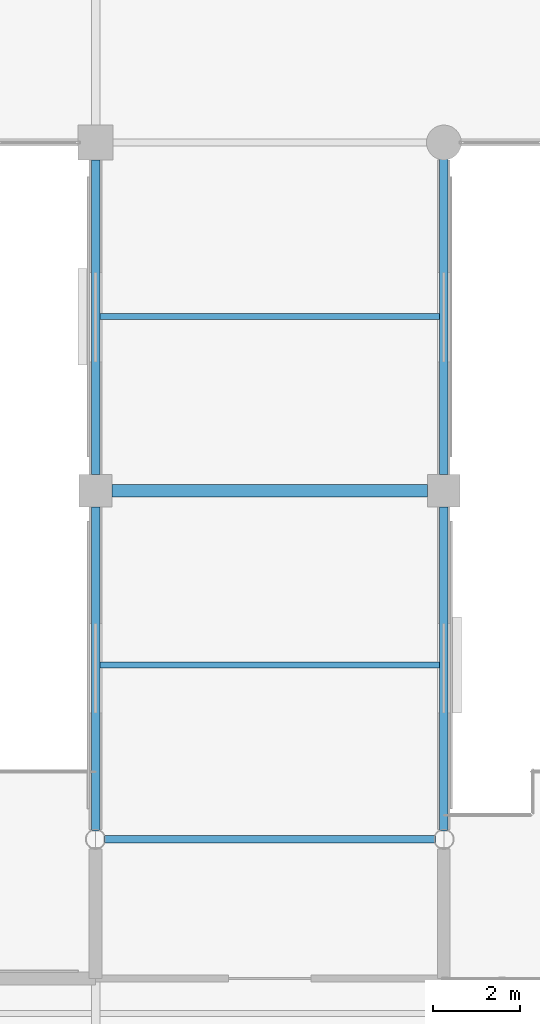
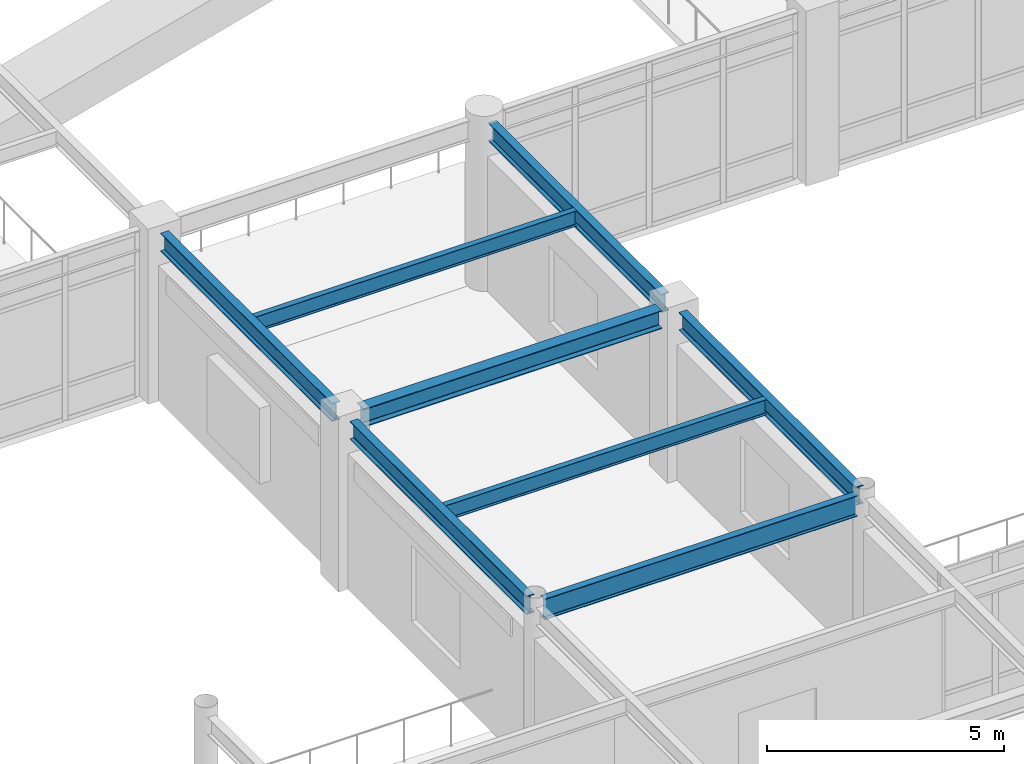
# One storey, part 17 of 75: 8 beams.
"""IFC4 building model written with IfcOpenShell, lengths in metres."""

from ifc_helpers import new_model, si_unit, direction, frame, origin, origin_2d, place, context, subcontext, project, spatial, i_section, extrude, material, material_profile, profile_set, type_object, element, save


model = new_model("IFC4")

# Units and contexts
model_context = context("Model", 3, precision=1e-05, world=origin(), true_north=direction((0.0, 1.0)))
body_context = subcontext(model_context, "Body", "Model", "MODEL_VIEW")
ifc_project = project(units=[si_unit("LENGTHUNIT", "METRE"), si_unit("AREAUNIT", "SQUARE_METRE"), si_unit("VOLUMEUNIT", "CUBIC_METRE"), si_unit("PLANEANGLEUNIT", "RADIAN"), si_unit("MASSUNIT", "GRAM", prefix="KILO")], contexts=[model_context])

# Site, building, storey
site_placement = place(None, origin())
site = spatial("IfcSite", under=ifc_project, at=site_placement, CompositionType="ELEMENT")
building_placement = place(site_placement, origin())
building = spatial("IfcBuilding", under=site, at=building_placement, Name="Solmirada Galleria", CompositionType="ELEMENT")
storey_placement = place(building_placement, frame((0.0, 0.0, 19.39990234375)))
storey = spatial("IfcBuildingStorey", under=building, at=storey_placement, Name="L04", CompositionType="ELEMENT", Elevation=19.39990234375)

# Beams
ifc_material = material(Name="Steel S355 / ASTM A992 Grade 50", Category="steel")
ifc_material_profile_1 = material_profile(ifc_material, i_section(OverallWidth=0.281982421875, OverallDepth=0.467041015625, WebThickness=0.01220703125, FlangeThickness=0.01953125, FilletRadius=0.013916015625, at=origin_2d()), Name="W18X86")
ifc_profile_set_1 = profile_set([ifc_material_profile_1], Name="Steel S355 / ASTM A992 Grade 50")
beam_type_1 = type_object("IfcBeamType", Name="BM-GIRD-W18A", PredefinedType="BEAM", material=ifc_profile_set_1)
beam_1_placement = place(storey_placement, frame((88.375, 40.0, 4.066650390625), z_axis=(1.0, 0.0, 0.0), x_axis=(0.0, 1.0, 0.0)))
element("IfcBeam", 1, at=beam_1_placement, inside=storey, type_object=beam_type_1, Name="Primary beam L05 X(88..96, 40)", PredefinedType="BEAM", context=body_context, shape_type="SweptSolid", body=[
    extrude(i_section(OverallWidth=0.281982421875, OverallDepth=0.467041015625, WebThickness=0.01220703125, FlangeThickness=0.01953125, FilletRadius=0.013916015625, at=origin_2d()), origin(), (0.0, 0.0, 1.0), 7.25),
])
ifc_material_profile_2 = material_profile(ifc_material, i_section(OverallWidth=0.193115234375, OverallDepth=0.466064453125, WebThickness=0.011474609375, FlangeThickness=0.01904296875, FilletRadius=0.013916015625, at=origin_2d()), Name="W18X65")
ifc_profile_set_2 = profile_set([ifc_material_profile_2], Name="Steel S355 / ASTM A992 Grade 50")
beam_type_2 = type_object("IfcBeamType", Name="BM-GIRD-W18C", PredefinedType="BEAM", material=ifc_profile_set_2)
beam_2_placement = place(storey_placement, frame((88.0, 32.19189453125, 4.067138671875), z_axis=(0.0, 1.0, 0.0), x_axis=(-1.0, 0.0, 0.0)))
element("IfcBeam", 2, at=beam_2_placement, inside=storey, type_object=beam_type_2, Name="Primary girder L05 Y(88, 32..40)", PredefinedType="BEAM", context=body_context, shape_type="SweptSolid", body=[
    extrude(i_section(OverallWidth=0.193115234375, OverallDepth=0.466064453125, WebThickness=0.011474609375, FlangeThickness=0.01904296875, FilletRadius=0.013916015625, at=origin_2d()), origin(), (0.0, 0.0, 1.0), 7.43310546875),
])
beam_3_placement = place(storey_placement, frame((88.0, 40.375, 4.067138671875), z_axis=(0.0, 1.0, 0.0), x_axis=(-1.0, 0.0, 0.0)))
element("IfcBeam", 3, at=beam_3_placement, inside=storey, type_object=beam_type_2, Name="Primary girder L05 Y(88, 40..48)", PredefinedType="BEAM", context=body_context, shape_type="SweptSolid", body=[
    extrude(i_section(OverallWidth=0.193115234375, OverallDepth=0.466064453125, WebThickness=0.011474609375, FlangeThickness=0.01904296875, FilletRadius=0.013916015625, at=origin_2d()), origin(), (0.0, 0.0, 1.0), 7.22509765625),
])
beam_4_placement = place(storey_placement, frame((96.0, 32.19189453125, 4.067138671875), z_axis=(0.0, 1.0, 0.0), x_axis=(-1.0, 0.0, 0.0)))
element("IfcBeam", 4, at=beam_4_placement, inside=storey, type_object=beam_type_2, Name="Primary girder L05 Y(96, 32..40)", PredefinedType="BEAM", context=body_context, shape_type="SweptSolid", body=[
    extrude(i_section(OverallWidth=0.193115234375, OverallDepth=0.466064453125, WebThickness=0.011474609375, FlangeThickness=0.01904296875, FilletRadius=0.013916015625, at=origin_2d()), origin(), (0.0, 0.0, 1.0), 7.43310546875),
])
beam_5_placement = place(storey_placement, frame((96.0, 40.375, 4.067138671875), z_axis=(0.0, 1.0, 0.0), x_axis=(-1.0, 0.0, 0.0)))
element("IfcBeam", 5, at=beam_5_placement, inside=storey, type_object=beam_type_2, Name="Primary girder L05 Y(96, 40..48)", PredefinedType="BEAM", context=body_context, shape_type="SweptSolid", body=[
    extrude(i_section(OverallWidth=0.193115234375, OverallDepth=0.466064453125, WebThickness=0.011474609375, FlangeThickness=0.01904296875, FilletRadius=0.013916015625, at=origin_2d()), origin(), (0.0, 0.0, 1.0), 7.2890625),
])
ifc_material_profile_3 = material_profile(ifc_material, i_section(OverallWidth=0.1669921875, OverallDepth=0.534912109375, WebThickness=0.01025390625, FlangeThickness=0.0166015625, FilletRadius=0.013916015625, at=origin_2d()), Name="W21X57")
ifc_profile_set_3 = profile_set([ifc_material_profile_3], Name="Steel S355 / ASTM A992 Grade 50")
beam_type_3 = type_object("IfcBeamType", Name="BM-GIRD-W21C", PredefinedType="BEAM", material=ifc_profile_set_3)
beam_6_placement = place(storey_placement, frame((88.19189453125, 32.0, 4.03271484375), z_axis=(1.0, 0.0, 0.0), x_axis=(0.0, 1.0, 0.0)))
element("IfcBeam", 6, at=beam_6_placement, inside=storey, type_object=beam_type_3, Name="Primary beam L05 X(88..96, 32)", PredefinedType="BEAM", context=body_context, shape_type="SweptSolid", body=[
    extrude(i_section(OverallWidth=0.1669921875, OverallDepth=0.534912109375, WebThickness=0.01025390625, FlangeThickness=0.0166015625, FilletRadius=0.013916015625, at=origin_2d()), origin(), (0.0, 0.0, 1.0), 7.6162109375),
])
ifc_material_profile_4 = material_profile(ifc_material, i_section(OverallWidth=0.139892578125, OverallDepth=0.39892578125, WebThickness=0.00634765625, FlangeThickness=0.0087890625, FilletRadius=0.010986328125, at=origin_2d()), Name="W16X26")
ifc_profile_set_4 = profile_set([ifc_material_profile_4], Name="Steel S355 / ASTM A992 Grade 50")
beam_type_4 = type_object("IfcBeamType", Name="BM-JST-W16C", PredefinedType="JOIST", material=ifc_profile_set_4)
for number, where, z_axis, x_axis, name in (
    (7, (88.096435546875, 36.0, 4.1005859375), (1.0, 0.0, 0.0), (0.0, 1.0, 0.0), "Composite floor joist L05 (88..96, 36.0)"),
    (8, (88.096435546875, 44.0, 4.1005859375), (1.0, 0.0, 0.0), (0.0, 1.0, 0.0), "Composite floor joist L05 (88..96, 44.0)"),
):
    element("IfcBeam", number, at=place(storey_placement, frame(where, z_axis=z_axis, x_axis=x_axis)), inside=storey, type_object=beam_type_4, Name=name, PredefinedType="JOIST", context=body_context, shape_type="SweptSolid", body=[
        extrude(i_section(OverallWidth=0.139892578125, OverallDepth=0.39892578125, WebThickness=0.00634765625, FlangeThickness=0.0087890625, FilletRadius=0.010986328125, at=origin_2d()), origin(), (0.0, 0.0, 1.0), 7.80712890625),
    ])

save(model, "model.ifc")
